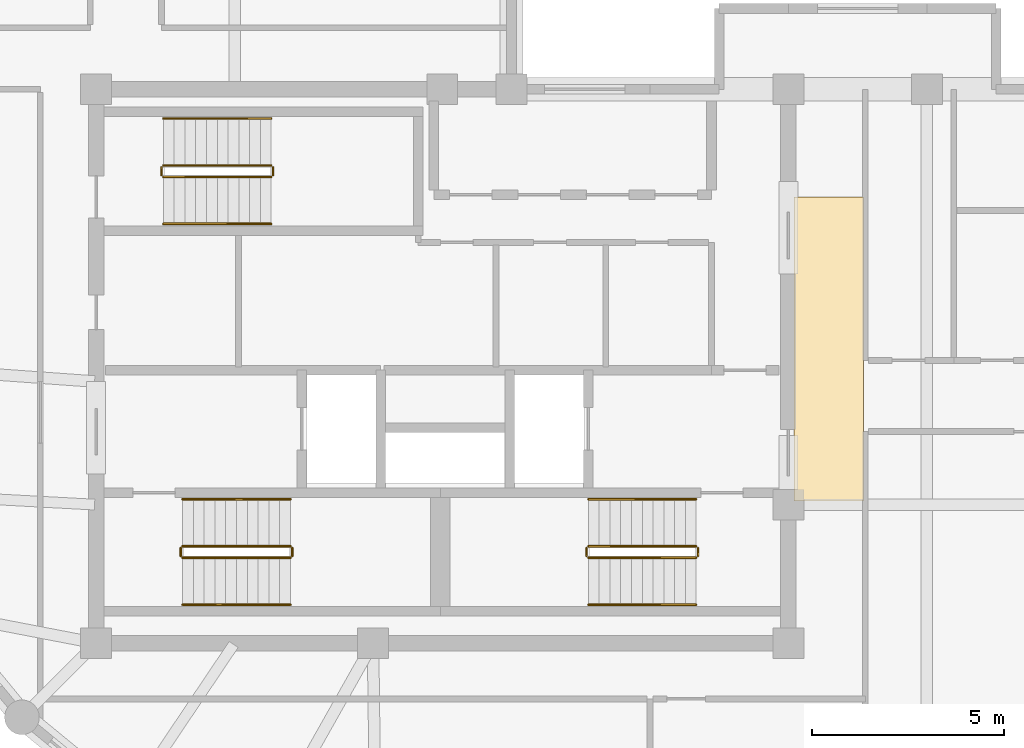
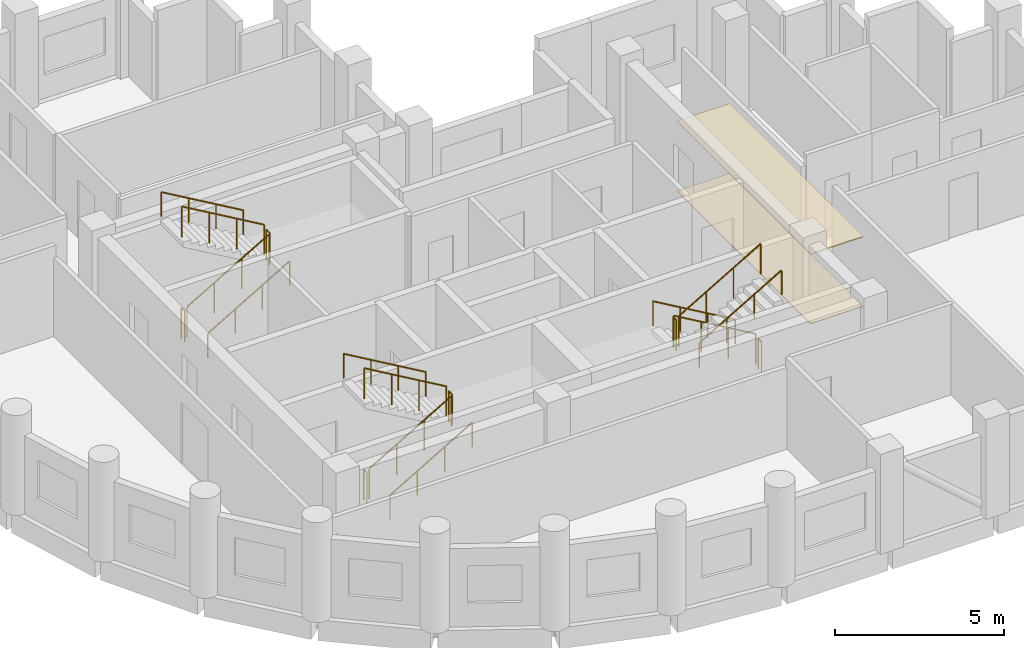
# One storey, part 6 of 6: 18 railings, 2 coverings.
"""IFC4 building model written with IfcOpenShell, lengths in metres."""

from ifc_helpers import new_model, si_unit, direction, frame, origin, origin_2d, place, context, subcontext, project, spatial, polyline, circle, outline, extrude, material, layer, layer_set, type_object, element, save


model = new_model("IFC4")

# Units and contexts
model_context = context("Model", 3, precision=1e-05, world=origin(), true_north=direction((0.0, 1.0)))
body_context = subcontext(model_context, "Body", "Model", "MODEL_VIEW")
ifc_project = project(units=[si_unit("LENGTHUNIT", "METRE"), si_unit("AREAUNIT", "SQUARE_METRE"), si_unit("VOLUMEUNIT", "CUBIC_METRE"), si_unit("PLANEANGLEUNIT", "RADIAN"), si_unit("MASSUNIT", "GRAM", prefix="KILO")], contexts=[model_context])

# Site, building, storey
site_placement = place(None, origin())
site = spatial("IfcSite", under=ifc_project, at=site_placement, CompositionType="ELEMENT")
building_placement = place(site_placement, origin())
building = spatial("IfcBuilding", under=site, at=building_placement, Name="Solnavia Interchange Tower", CompositionType="ELEMENT")
storey_placement = place(building_placement, frame((0.0, 0.0, 246.199951171875)))
storey = spatial("IfcBuildingStorey", under=building, at=storey_placement, Name="L62", CompositionType="ELEMENT", Elevation=246.199951171875)

# Coverings
ifc_material_1 = material(Name="Perforated Mineral-Fibre & Gypsum Ceiling", Category="gypsum")
ifc_layer_1 = layer(ifc_material_1, 0.0400390625)
ifc_layer_set_1 = layer_set([ifc_layer_1], Name="Perforated Mineral-Fibre & Gypsum Ceiling")
covering_type_1 = type_object("IfcCoveringType", Name="Covering-Ceiling-Acoustic40", PredefinedType="CEILING", material=ifc_layer_set_1)
covering_1_placement = place(storey_placement, frame((0.0, 0.0, 2.5)))
element("IfcCovering", 1, at=covering_1_placement, inside=storey, type_object=covering_type_1, Name="CLG-L62-01 Circulation suspended acoustic ceiling", PredefinedType="CEILING", context=body_context, shape_type="SweptSolid", body=[
    extrude(outline(polyline([(32.550048828125, 14.5), (34.35009765625, 14.5), (34.35009765625, 22.39990234375), (32.550048828125, 22.39990234375), (32.550048828125, 14.5)])), origin(), (0.0, 0.0, 1.0), 0.0400390625),
])
ifc_material_2 = material(Name="Engineered European Oak Flooring", Category="wood")
ifc_layer_2 = layer(ifc_material_2, 0.02001953125)
ifc_layer_set_2 = layer_set([ifc_layer_2], Name="Engineered European Oak Flooring")
covering_type_2 = type_object("IfcCoveringType", Name="Covering-Flooring-Timber20", PredefinedType="FLOORING", material=ifc_layer_set_2)
covering_2_placement = place(storey_placement, origin())
element("IfcCovering", 2, at=covering_2_placement, inside=storey, type_object=covering_type_2, Name="FLR-L62-01 Circulation floor finish", PredefinedType="FLOORING", context=body_context, shape_type="SweptSolid", body=[
    extrude(outline(polyline([(32.550048828125, 14.5), (34.35009765625, 14.5), (34.35009765625, 22.39990234375), (32.550048828125, 22.39990234375), (32.550048828125, 14.5)])), origin(), (0.0, 0.0, 1.0), 0.02001953125),
])

# Railings
ifc_material_3 = material(Name="Painted Steel Balustrade", Category="steel")
railing_type_1 = type_object("IfcRailingType", Name="Railing-StairGuard-1100", PredefinedType="GUARDRAIL", material=ifc_material_3)
railing_1_placement = place(storey_placement, frame((16.64990234375, 13.02001953125, 0.16357421875)))
element("IfcRailing", 3, at=railing_1_placement, inside=storey, type_object=railing_type_1, Name="L62 ST-1 stair guard 1", PredefinedType="GUARDRAIL", context=body_context, shape_type="SweptSolid", body=[
    extrude(circle(Radius=0.02392578125, at=origin_2d()), frame((0.0, 0.0, 1.09619140625), z_axis=(0.863360870873, 0.0, 0.504586966384), x_axis=(0.0, 1.0, 0.0)), (0.0, 0.0, 1.0), 3.2431640625),
    extrude(circle(Radius=0.02099609375, at=origin_2d()), origin(), (0.0, 0.0, 1.0), 1.072021484375),
    extrude(circle(Radius=0.02099609375, at=origin_2d()), frame((0.933349609375, 0.0, 0.54541015625)), (0.0, 0.0, 1.0), 1.072021484375),
    extrude(circle(Radius=0.02099609375, at=origin_2d()), frame((1.86669921875, 0.0, 1.091064453125)), (0.0, 0.0, 1.0), 1.072021484375),
    extrude(circle(Radius=0.02099609375, at=origin_2d()), frame((2.800048828125, 0.0, 1.636474609375)), (0.0, 0.0, 1.0), 1.072021484375),
])
railing_2_placement = place(storey_placement, frame((19.5, 13.070068359375, 1.800048828125)))
element("IfcRailing", 4, at=railing_2_placement, inside=storey, type_object=railing_type_1, Name="L62 ST-1 stair guard 2", PredefinedType="GUARDRAIL", context=body_context, shape_type="SweptSolid", body=[
    extrude(circle(Radius=0.02392578125, at=origin_2d()), frame((0.0, 0.0, 1.09619140625), z_axis=(0.0, 1.0, 0.0), x_axis=(-1.0, 0.0, 0.0)), (0.0, 0.0, 1.0), 0.199951171875),
    extrude(circle(Radius=0.02099609375, at=origin_2d()), origin(), (0.0, 0.0, 1.0), 1.072021484375),
    extrude(circle(Radius=0.02099609375, at=origin_2d()), frame((0.0, 0.199951171875, 0.0)), (0.0, 0.0, 1.0), 1.072021484375),
])
railing_3_placement = place(storey_placement, frame((19.449951171875, 13.320068359375, 1.963623046875)))
element("IfcRailing", 5, at=railing_3_placement, inside=storey, type_object=railing_type_1, Name="L62 ST-1 stair guard 3", PredefinedType="GUARDRAIL", context=body_context, shape_type="SweptSolid", body=[
    extrude(circle(Radius=0.02392578125, at=origin_2d()), frame((0.0, 0.0, 1.09619140625), z_axis=(-0.863360870873, 0.0, 0.504586966384), x_axis=(0.0, -1.0, 0.0)), (0.0, 0.0, 1.0), 3.2431640625),
    extrude(circle(Radius=0.02099609375, at=origin_2d()), origin(), (0.0, 0.0, 1.0), 1.072021484375),
    extrude(circle(Radius=0.02099609375, at=origin_2d()), frame((-0.933349609375, 0.0, 0.54541015625)), (0.0, 0.0, 1.0), 1.072021484375),
    extrude(circle(Radius=0.02099609375, at=origin_2d()), frame((-1.86669921875, 0.0, 1.091064453125)), (0.0, 0.0, 1.0), 1.072021484375),
    extrude(circle(Radius=0.02099609375, at=origin_2d()), frame((-2.800048828125, 0.0, 1.636474609375)), (0.0, 0.0, 1.0), 1.072021484375),
])
railing_4_placement = place(storey_placement, frame((16.60009765625, 13.070068359375, 0.0)))
element("IfcRailing", 6, at=railing_4_placement, inside=storey, type_object=railing_type_1, Name="L62 ST-1 stair guard 4", PredefinedType="GUARDRAIL", context=body_context, shape_type="SweptSolid", body=[
    extrude(circle(Radius=0.02392578125, at=origin_2d()), frame((0.0, 0.0, 1.09619140625), z_axis=(0.0, 1.0, 0.0), x_axis=(-1.0, 0.0, 0.0)), (0.0, 0.0, 1.0), 0.199951171875),
    extrude(circle(Radius=0.02099609375, at=origin_2d()), origin(), (0.0, 0.0, 1.0), 1.072021484375),
    extrude(circle(Radius=0.02099609375, at=origin_2d()), frame((0.0, 0.199951171875, 0.0)), (0.0, 0.0, 1.0), 1.072021484375),
])
railing_5_placement = place(storey_placement, frame((30.0, 13.320068359375, 0.16357421875)))
element("IfcRailing", 7, at=railing_5_placement, inside=storey, type_object=railing_type_1, Name="L62 ST-2 stair guard 1", PredefinedType="GUARDRAIL", context=body_context, shape_type="SweptSolid", body=[
    extrude(circle(Radius=0.02392578125, at=origin_2d()), frame((0.0, 0.0, 1.09619140625), z_axis=(-0.863360870873, 0.0, 0.504586966384), x_axis=(0.0, -1.0, 0.0)), (0.0, 0.0, 1.0), 3.2431640625),
    extrude(circle(Radius=0.02099609375, at=origin_2d()), origin(), (0.0, 0.0, 1.0), 1.072021484375),
    extrude(circle(Radius=0.02099609375, at=origin_2d()), frame((-0.933349609375, 0.0, 0.54541015625)), (0.0, 0.0, 1.0), 1.072021484375),
    extrude(circle(Radius=0.02099609375, at=origin_2d()), frame((-1.86669921875, 0.0, 1.091064453125)), (0.0, 0.0, 1.0), 1.072021484375),
    extrude(circle(Radius=0.02099609375, at=origin_2d()), frame((-2.800048828125, 0.0, 1.636474609375)), (0.0, 0.0, 1.0), 1.072021484375),
])
railing_6_placement = place(storey_placement, frame((27.14990234375, 13.27001953125, 1.800048828125)))
element("IfcRailing", 8, at=railing_6_placement, inside=storey, type_object=railing_type_1, Name="L62 ST-2 stair guard 2", PredefinedType="GUARDRAIL", context=body_context, shape_type="SweptSolid", body=[
    extrude(circle(Radius=0.02392578125, at=origin_2d()), frame((0.0, 0.0, 1.09619140625), z_axis=(0.0, -1.0, 0.0), x_axis=(1.0, 0.0, 0.0)), (0.0, 0.0, 1.0), 0.199951171875),
    extrude(circle(Radius=0.02099609375, at=origin_2d()), origin(), (0.0, 0.0, 1.0), 1.072021484375),
    extrude(circle(Radius=0.02099609375, at=origin_2d()), frame((0.0, -0.199951171875, 0.0)), (0.0, 0.0, 1.0), 1.072021484375),
])
railing_7_placement = place(storey_placement, frame((27.199951171875, 13.02001953125, 1.963623046875)))
element("IfcRailing", 9, at=railing_7_placement, inside=storey, type_object=railing_type_1, Name="L62 ST-2 stair guard 3", PredefinedType="GUARDRAIL", context=body_context, shape_type="SweptSolid", body=[
    extrude(circle(Radius=0.02392578125, at=origin_2d()), frame((0.0, 0.0, 1.09619140625), z_axis=(0.863360870873, 0.0, 0.504586966384), x_axis=(0.0, 1.0, 0.0)), (0.0, 0.0, 1.0), 3.2431640625),
    extrude(circle(Radius=0.02099609375, at=origin_2d()), origin(), (0.0, 0.0, 1.0), 1.072021484375),
    extrude(circle(Radius=0.02099609375, at=origin_2d()), frame((0.933349609375, 0.0, 0.54541015625)), (0.0, 0.0, 1.0), 1.072021484375),
    extrude(circle(Radius=0.02099609375, at=origin_2d()), frame((1.86669921875, 0.0, 1.091064453125)), (0.0, 0.0, 1.0), 1.072021484375),
    extrude(circle(Radius=0.02099609375, at=origin_2d()), frame((2.800048828125, 0.0, 1.636474609375)), (0.0, 0.0, 1.0), 1.072021484375),
])
railing_8_placement = place(storey_placement, frame((30.050048828125, 13.27001953125, 0.0)))
element("IfcRailing", 10, at=railing_8_placement, inside=storey, type_object=railing_type_1, Name="L62 ST-2 stair guard 4", PredefinedType="GUARDRAIL", context=body_context, shape_type="SweptSolid", body=[
    extrude(circle(Radius=0.02392578125, at=origin_2d()), frame((0.0, 0.0, 1.09619140625), z_axis=(0.0, -1.0, 0.0), x_axis=(1.0, 0.0, 0.0)), (0.0, 0.0, 1.0), 0.199951171875),
    extrude(circle(Radius=0.02099609375, at=origin_2d()), origin(), (0.0, 0.0, 1.0), 1.072021484375),
    extrude(circle(Radius=0.02099609375, at=origin_2d()), frame((0.0, -0.199951171875, 0.0)), (0.0, 0.0, 1.0), 1.072021484375),
])
railing_9_placement = place(storey_placement, frame((16.14990234375, 22.919921875, 0.16357421875)))
element("IfcRailing", 11, at=railing_9_placement, inside=storey, type_object=railing_type_1, Name="L62 ST-3 stair guard 1", PredefinedType="GUARDRAIL", context=body_context, shape_type="SweptSolid", body=[
    extrude(circle(Radius=0.02392578125, at=origin_2d()), frame((0.0, 0.0, 1.09619140625), z_axis=(0.863360870873, 0.0, 0.504586966384), x_axis=(0.0, 1.0, 0.0)), (0.0, 0.0, 1.0), 3.2431640625),
    extrude(circle(Radius=0.02099609375, at=origin_2d()), origin(), (0.0, 0.0, 1.0), 1.072021484375),
    extrude(circle(Radius=0.02099609375, at=origin_2d()), frame((0.933349609375, 0.0, 0.54541015625)), (0.0, 0.0, 1.0), 1.072021484375),
    extrude(circle(Radius=0.02099609375, at=origin_2d()), frame((1.86669921875, 0.0, 1.091064453125)), (0.0, 0.0, 1.0), 1.072021484375),
    extrude(circle(Radius=0.02099609375, at=origin_2d()), frame((2.800048828125, 0.0, 1.636474609375)), (0.0, 0.0, 1.0), 1.072021484375),
])
railing_10_placement = place(storey_placement, frame((19.0, 22.969970703125, 1.800048828125)))
element("IfcRailing", 12, at=railing_10_placement, inside=storey, type_object=railing_type_1, Name="L62 ST-3 stair guard 2", PredefinedType="GUARDRAIL", context=body_context, shape_type="SweptSolid", body=[
    extrude(circle(Radius=0.02392578125, at=origin_2d()), frame((0.0, 0.0, 1.09619140625), z_axis=(0.0, 1.0, 0.0), x_axis=(-1.0, 0.0, 0.0)), (0.0, 0.0, 1.0), 0.199951171875),
    extrude(circle(Radius=0.02099609375, at=origin_2d()), origin(), (0.0, 0.0, 1.0), 1.072021484375),
    extrude(circle(Radius=0.02099609375, at=origin_2d()), frame((0.0, 0.199951171875, 0.0)), (0.0, 0.0, 1.0), 1.072021484375),
])
railing_11_placement = place(storey_placement, frame((18.949951171875, 23.219970703125, 1.963623046875)))
element("IfcRailing", 13, at=railing_11_placement, inside=storey, type_object=railing_type_1, Name="L62 ST-3 stair guard 3", PredefinedType="GUARDRAIL", context=body_context, shape_type="SweptSolid", body=[
    extrude(circle(Radius=0.02392578125, at=origin_2d()), frame((0.0, 0.0, 1.09619140625), z_axis=(-0.863360870873, 0.0, 0.504586966384), x_axis=(0.0, -1.0, 0.0)), (0.0, 0.0, 1.0), 3.2431640625),
    extrude(circle(Radius=0.02099609375, at=origin_2d()), origin(), (0.0, 0.0, 1.0), 1.072021484375),
    extrude(circle(Radius=0.02099609375, at=origin_2d()), frame((-0.933349609375, 0.0, 0.54541015625)), (0.0, 0.0, 1.0), 1.072021484375),
    extrude(circle(Radius=0.02099609375, at=origin_2d()), frame((-1.86669921875, 0.0, 1.091064453125)), (0.0, 0.0, 1.0), 1.072021484375),
    extrude(circle(Radius=0.02099609375, at=origin_2d()), frame((-2.800048828125, 0.0, 1.636474609375)), (0.0, 0.0, 1.0), 1.072021484375),
])
railing_12_placement = place(storey_placement, frame((16.10009765625, 22.969970703125, 0.0)))
element("IfcRailing", 14, at=railing_12_placement, inside=storey, type_object=railing_type_1, Name="L62 ST-3 stair guard 4", PredefinedType="GUARDRAIL", context=body_context, shape_type="SweptSolid", body=[
    extrude(circle(Radius=0.02392578125, at=origin_2d()), frame((0.0, 0.0, 1.09619140625), z_axis=(0.0, 1.0, 0.0), x_axis=(-1.0, 0.0, 0.0)), (0.0, 0.0, 1.0), 0.199951171875),
    extrude(circle(Radius=0.02099609375, at=origin_2d()), origin(), (0.0, 0.0, 1.0), 1.072021484375),
    extrude(circle(Radius=0.02099609375, at=origin_2d()), frame((0.0, 0.199951171875, 0.0)), (0.0, 0.0, 1.0), 1.072021484375),
])
ifc_material_4 = material(Name="Brushed Stainless Steel", Category="steel")
railing_type_2 = type_object("IfcRailingType", Name="Railing-StairHandrail-900", PredefinedType="HANDRAIL", material=ifc_material_4)
railing_13_placement = place(storey_placement, frame((16.64990234375, 11.800048828125, 0.16357421875)))
element("IfcRailing", 15, at=railing_13_placement, inside=storey, type_object=railing_type_2, Name="L62 ST-1 stair handrail 1", PredefinedType="HANDRAIL", context=body_context, shape_type="SweptSolid", body=[
    extrude(circle(Radius=0.02392578125, at=origin_2d()), frame((0.0, 0.0, 0.8759765625), z_axis=(0.863360870873, 0.0, 0.504586966384), x_axis=(0.0, 1.0, 0.0)), (0.0, 0.0, 1.0), 3.2431640625),
    extrude(circle(Radius=0.02099609375, at=origin_2d()), origin(), (0.0, 0.0, 1.0), 0.851806640625),
    extrude(circle(Radius=0.02099609375, at=origin_2d()), frame((0.933349609375, 0.0, 0.54541015625)), (0.0, 0.0, 1.0), 0.851806640625),
    extrude(circle(Radius=0.02099609375, at=origin_2d()), frame((1.86669921875, 0.0, 1.091064453125)), (0.0, 0.0, 1.0), 0.851806640625),
    extrude(circle(Radius=0.02099609375, at=origin_2d()), frame((2.800048828125, 0.0, 1.636474609375)), (0.0, 0.0, 1.0), 0.851806640625),
])
for number, where, name in (
    (16, (19.449951171875, 14.5400390625, 1.963623046875), "L62 ST-1 stair handrail 2"),
    (17, (30.0, 14.5400390625, 0.16357421875), "L62 ST-2 stair handrail 1"),
):
    element("IfcRailing", number, at=place(storey_placement, frame(where)), inside=storey, type_object=railing_type_2, Name=name, PredefinedType="HANDRAIL", context=body_context, shape_type="SweptSolid", body=[
        extrude(circle(Radius=0.02392578125, at=origin_2d()), frame((0.0, 0.0, 0.8759765625), z_axis=(-0.863360870873, 0.0, 0.504586966384), x_axis=(0.0, -1.0, 0.0)), (0.0, 0.0, 1.0), 3.2431640625),
        extrude(circle(Radius=0.02099609375, at=origin_2d()), origin(), (0.0, 0.0, 1.0), 0.851806640625),
        extrude(circle(Radius=0.02099609375, at=origin_2d()), frame((-0.933349609375, 0.0, 0.54541015625)), (0.0, 0.0, 1.0), 0.851806640625),
        extrude(circle(Radius=0.02099609375, at=origin_2d()), frame((-1.86669921875, 0.0, 1.091064453125)), (0.0, 0.0, 1.0), 0.851806640625),
        extrude(circle(Radius=0.02099609375, at=origin_2d()), frame((-2.800048828125, 0.0, 1.636474609375)), (0.0, 0.0, 1.0), 0.851806640625),
    ])
for number, where, name in (
    (18, (27.199951171875, 11.800048828125, 1.963623046875), "L62 ST-2 stair handrail 2"),
    (19, (16.14990234375, 21.699951171875, 0.16357421875), "L62 ST-3 stair handrail 1"),
):
    element("IfcRailing", number, at=place(storey_placement, frame(where)), inside=storey, type_object=railing_type_2, Name=name, PredefinedType="HANDRAIL", context=body_context, shape_type="SweptSolid", body=[
        extrude(circle(Radius=0.02392578125, at=origin_2d()), frame((0.0, 0.0, 0.8759765625), z_axis=(0.863360870873, 0.0, 0.504586966384), x_axis=(0.0, 1.0, 0.0)), (0.0, 0.0, 1.0), 3.2431640625),
        extrude(circle(Radius=0.02099609375, at=origin_2d()), origin(), (0.0, 0.0, 1.0), 0.851806640625),
        extrude(circle(Radius=0.02099609375, at=origin_2d()), frame((0.933349609375, 0.0, 0.54541015625)), (0.0, 0.0, 1.0), 0.851806640625),
        extrude(circle(Radius=0.02099609375, at=origin_2d()), frame((1.86669921875, 0.0, 1.091064453125)), (0.0, 0.0, 1.0), 0.851806640625),
        extrude(circle(Radius=0.02099609375, at=origin_2d()), frame((2.800048828125, 0.0, 1.636474609375)), (0.0, 0.0, 1.0), 0.851806640625),
    ])
railing_14_placement = place(storey_placement, frame((18.949951171875, 24.43994140625, 1.963623046875)))
element("IfcRailing", 20, at=railing_14_placement, inside=storey, type_object=railing_type_2, Name="L62 ST-3 stair handrail 2", PredefinedType="HANDRAIL", context=body_context, shape_type="SweptSolid", body=[
    extrude(circle(Radius=0.02392578125, at=origin_2d()), frame((0.0, 0.0, 0.8759765625), z_axis=(-0.863360870873, 0.0, 0.504586966384), x_axis=(0.0, -1.0, 0.0)), (0.0, 0.0, 1.0), 3.2431640625),
    extrude(circle(Radius=0.02099609375, at=origin_2d()), origin(), (0.0, 0.0, 1.0), 0.851806640625),
    extrude(circle(Radius=0.02099609375, at=origin_2d()), frame((-0.933349609375, 0.0, 0.54541015625)), (0.0, 0.0, 1.0), 0.851806640625),
    extrude(circle(Radius=0.02099609375, at=origin_2d()), frame((-1.86669921875, 0.0, 1.091064453125)), (0.0, 0.0, 1.0), 0.851806640625),
    extrude(circle(Radius=0.02099609375, at=origin_2d()), frame((-2.800048828125, 0.0, 1.636474609375)), (0.0, 0.0, 1.0), 0.851806640625),
])

save(model, "model.ifc")
